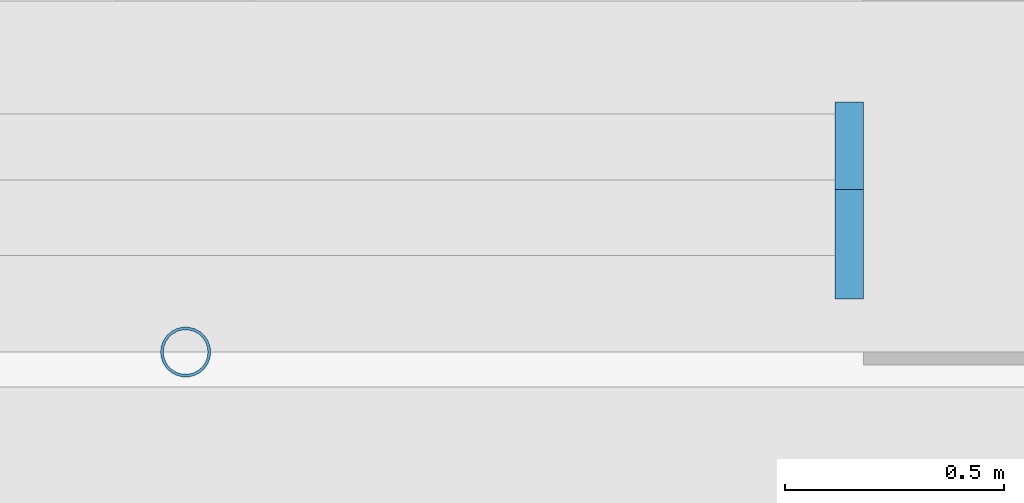
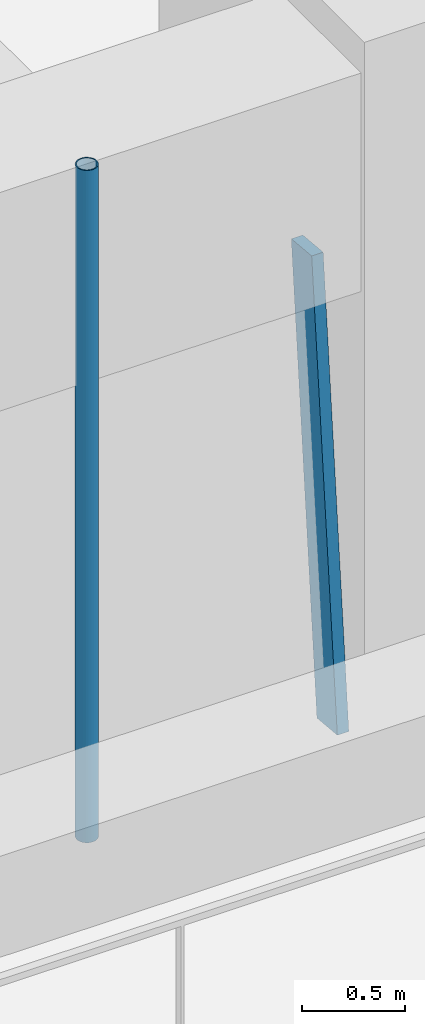
# One storey, part 4 of 23: 2 members, 1 element without a shape of its own.
"""IFC4 building model written with IfcOpenShell, lengths in metres."""

from ifc_helpers import new_model, si_unit, direction, frame, origin, origin_2d, place, context, subcontext, project, spatial, rectangle, hollow_circle, extrude, material, material_profile, profile_set, type_object, element, aggregate, save


model = new_model("IFC4")

# Units and contexts
model_context = context("Model", 3, precision=1e-05, world=origin(), true_north=direction((0.0, 1.0)))
body_context = subcontext(model_context, "Body", "Model", "MODEL_VIEW")
ifc_project = project(units=[si_unit("LENGTHUNIT", "METRE"), si_unit("AREAUNIT", "SQUARE_METRE"), si_unit("VOLUMEUNIT", "CUBIC_METRE"), si_unit("PLANEANGLEUNIT", "RADIAN"), si_unit("MASSUNIT", "GRAM", prefix="KILO")], contexts=[model_context])

# Site, building, storey
site_placement = place(None, origin())
site = spatial("IfcSite", under=ifc_project, at=site_placement, CompositionType="ELEMENT")
building_placement = place(site_placement, origin())
building = spatial("IfcBuilding", under=site, at=building_placement, Name="Tarfa Lantern Tower", CompositionType="ELEMENT")
storey_placement = place(building_placement, frame((0.0, 0.0, 27.699951171875)))
storey = spatial("IfcBuildingStorey", under=building, at=storey_placement, Name="L05", CompositionType="ELEMENT", Elevation=27.699951171875)

# Curtain wall, member
ifc_material_1 = material(Name="Aluminium framed curtain wall", Category="aluminium")
curtain_wall_type = type_object("IfcCurtainWallType", Name="CW1 CANTED GLAZING LOW ZONE 2700", PredefinedType="USERDEFINED", material=ifc_material_1)
curtain_wall_placement = place(storey_placement, origin())
curtain_wall = element("IfcCurtainWall", 1, at=curtain_wall_placement, inside=storey, type_object=curtain_wall_type, Name="CW1 S L05", ObjectType="CURTAIN WALL", PredefinedType="USERDEFINED")
ifc_material_2 = material(Name="Aluminium mullion", Category="aluminium")
ifc_material_profile_1 = material_profile(ifc_material_2, rectangle(XDim=0.06494140625, YDim=0.199951171875, at=origin_2d()), Name="AL MULLION 65x200")
ifc_profile_set_1 = profile_set([ifc_material_profile_1], Name="Aluminium mullion")
member_type_1 = type_object("IfcMemberType", Name="CWM1 MULLION 65x200", PredefinedType="MULLION", material=ifc_profile_set_1)
member_1_placement = place(storey_placement, frame((9.5947265625, -33.89990234375, 0.0), z_axis=(0.0, 0.092199863775, 0.995740520979), x_axis=(-1.0, 0.0, 0.0)))
member_1 = element("IfcMember", 2, at=member_1_placement, type_object=member_type_1, Name="CW1 mullion 2", PredefinedType="MULLION", context=body_context, shape_type="SweptSolid", body=[
    extrude(rectangle(XDim=0.06494140625, YDim=0.199951171875, at=origin_2d()), origin(), (0.0, 0.0, 1.0), 2.71142578125),
])
aggregate(curtain_wall, [member_1])

# Member
ifc_material_3 = material(Name="Steel S355", Category="steel")
ifc_material_profile_2 = material_profile(ifc_material_3, hollow_circle(Radius=0.05712890625, WallThickness=0.00634765625, at=origin_2d()), Name="CHS114.3x6.3")
ifc_profile_set_2 = profile_set([ifc_material_profile_2], Name="Steel S355")
member_type_2 = type_object("IfcMemberType", Name="TR1 GREEN WALL TRELLIS CHS114.3x6.3", PredefinedType="USERDEFINED", material=ifc_profile_set_2)
member_2_placement = place(storey_placement, frame((8.0830078125, -34.1201171875, 0.0), z_axis=(0.0, 0.0, 1.0), x_axis=(1.0, 0.0, 0.0)))
element("IfcMember", 3, at=member_2_placement, inside=storey, type_object=member_type_2, Name="Trellis post S 2", ObjectType="TRELLIS", PredefinedType="USERDEFINED", context=body_context, shape_type="SweptSolid", body=[
    extrude(hollow_circle(Radius=0.05712890625, WallThickness=0.00634765625, at=origin_2d()), origin(), (0.0, 0.0, 1.0), 4.0),
])

save(model, "model.ifc")
